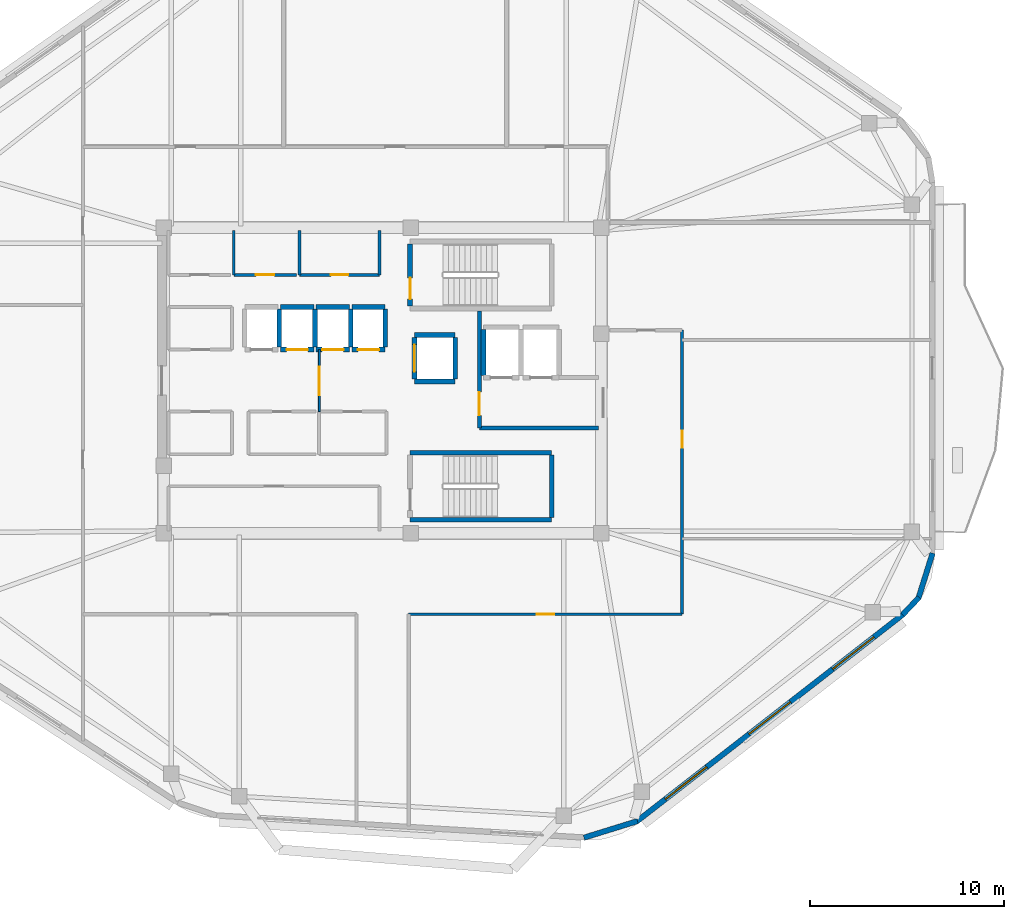
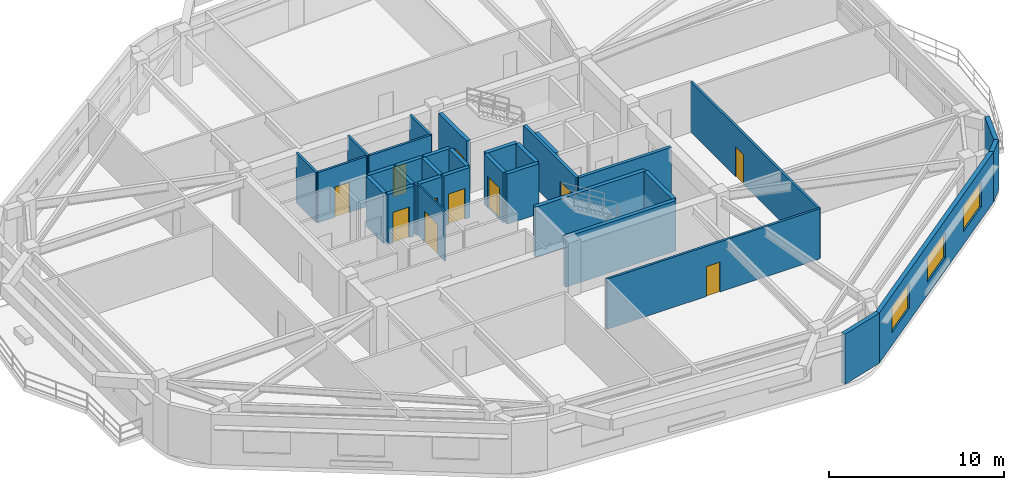
# One storey, part 4 of 9: 33 walls, 11 doors, 3 windows, 14 openings.
"""IFC4 building model written with IfcOpenShell, lengths in metres."""

import ifcopenshell
import ifcopenshell.guid

model = None  # the IFC model being written
_history = None  # IfcOwnerHistory: only IFC2X3 demands one
_inside = {}  # id of a spatial element -> (the spatial element, [elements in it])
_under = {}  # id of a project, library or spatial element -> (it, [spatial elements below it])
_declared = {}  # id of a project -> (the project, [libraries it declares])
_typed = {}  # id of a type object -> (the type object, [elements of that type])
_made_of = {}  # id of a material, layer set ... -> (it, [elements and type objects made of it])


def new_model(schema):
    """Start an empty IFC model of exactly this schema.

    Asked for "IFC4X3", IfcOpenShell would pick the latest addendum, in which some entities
    have other attributes; the version numbers below select the first issue.
    IFC2X3 requires an IfcOwnerHistory on every rooted entity: one is made here for all.
    """
    global model, _history
    if schema == "IFC4X3":
        model = ifcopenshell.file(schema_version=(4, 3, 0, 0))
    else:
        model = ifcopenshell.file(schema=schema)
    _inside.clear()
    _under.clear()
    _declared.clear()
    _typed.clear()
    _made_of.clear()
    _history = None
    if model.schema == "IFC2X3":
        org = make("IfcOrganization", Name="unknown")
        user = make(
            "IfcPersonAndOrganization",
            ThePerson=make("IfcPerson", FamilyName="unknown"),
            TheOrganization=org,
        )
        app = make(
            "IfcApplication",
            ApplicationDeveloper=org,
            Version="unknown",
            ApplicationFullName="unknown",
            ApplicationIdentifier="unknown",
        )
        _history = make(
            "IfcOwnerHistory",
            OwningUser=user,
            OwningApplication=app,
            ChangeAction="ADDED",
            CreationDate=0,
        )
    return model


def make(cls, **values):
    """One entity of the class cls with the attributes given. An attribute that is None is left unset."""
    return model.create_entity(
        cls, **{name: value for name, value in values.items() if value is not None}
    )


def rooted(cls, **values):
    """An entity with a GlobalId (a new one), such as an element, a storey or a relation."""
    return make(cls, GlobalId=ifcopenshell.guid.new(), OwnerHistory=_history, **values)


def si_unit(unit_type, name, prefix=None):
    """IfcSIUnit, for example si_unit("LENGTHUNIT", "METRE", prefix="MILLI")."""
    return make("IfcSIUnit", UnitType=unit_type, Prefix=prefix, Name=name)


def assignment(units):
    """IfcUnitAssignment: the units of a project."""
    return None if units is None else make("IfcUnitAssignment", Units=units)


def point(xyz):
    """IfcCartesianPoint."""
    return None if xyz is None else make("IfcCartesianPoint", Coordinates=xyz)


def direction(xyz):
    """IfcDirection."""
    return None if xyz is None else make("IfcDirection", DirectionRatios=xyz)


def frame(location, z_axis=None, x_axis=None):
    """IfcAxis2Placement3D, a coordinate frame: its origin and axes. An axis left out is left unset."""
    return make(
        "IfcAxis2Placement3D",
        Location=point(location),
        Axis=direction(z_axis),
        RefDirection=direction(x_axis),
    )


def frame_2d(location, x_axis=None):
    """IfcAxis2Placement2D, a coordinate frame in the plane: its origin and x axis."""
    return make(
        "IfcAxis2Placement2D", Location=point(location), RefDirection=direction(x_axis)
    )


def origin():
    """The frame at (0, 0, 0) with its axes left unset."""
    return frame((0.0, 0.0, 0.0))


def place(relative_to, where):
    """IfcLocalPlacement: puts the frame where relative to a parent placement (None: the world)."""
    return make(
        "IfcLocalPlacement", PlacementRelTo=relative_to, RelativePlacement=where
    )


def context(
    kind, dimensions, precision=None, world=None, true_north=None, identifier=None
):
    """IfcGeometricRepresentationContext, for example the 3D "Model" context."""
    return make(
        "IfcGeometricRepresentationContext",
        ContextIdentifier=identifier,
        ContextType=kind,
        CoordinateSpaceDimension=dimensions,
        Precision=precision,
        WorldCoordinateSystem=world,
        TrueNorth=true_north,
    )


def subcontext(parent, identifier, kind, view, scale=None):
    """IfcGeometricRepresentationSubContext, for example "Body" below "Model"."""
    return make(
        "IfcGeometricRepresentationSubContext",
        ContextIdentifier=identifier,
        ContextType=kind,
        ParentContext=parent,
        TargetScale=scale,
        TargetView=view,
    )


def project(units=None, contexts=None):
    """IfcProject with its units and contexts."""
    return rooted(
        "IfcProject",
        Name="project",
        RepresentationContexts=contexts,
        UnitsInContext=assignment(units),
    )


def spatial(cls, under=None, at=None, **own):
    """A site, building, storey or space (cls), placed at a placement, below another one or the project."""
    s = rooted(cls, ObjectPlacement=at, **own)
    if under is not None:
        _under.setdefault(under.id(), (under, []))[1].append(s)
    return s


def profile(cls, at=None, kind="AREA", **sizes):
    """A parametric profile (cls). Its sizes go by their IFC names, for example OverallWidth=200.0."""
    return make(cls, ProfileType=kind, Position=at, **sizes)


def rectangle(**sizes):
    """IfcRectangleProfileDef."""
    return profile("IfcRectangleProfileDef", **sizes)


def extrude(swept, where, along, depth):
    """IfcExtrudedAreaSolid: the profile swept, set in the frame where, extruded along a direction by depth."""
    return make(
        "IfcExtrudedAreaSolid",
        SweptArea=swept,
        Position=where,
        ExtrudedDirection=direction(along),
        Depth=depth,
    )


def shape(context_of_items, identifier, shape_type, items):
    """IfcShapeRepresentation: the items that make up one representation, for example the "Body"."""
    return make(
        "IfcShapeRepresentation",
        ContextOfItems=context_of_items,
        RepresentationIdentifier=identifier,
        RepresentationType=shape_type,
        Items=items,
    )


def material(Name=None, Category=None):
    """IfcMaterial."""
    return make("IfcMaterial", Name=Name, Category=Category)


def layer(
    of_material, thickness, ventilated=None, Name=None, Category=None, Priority=None
):
    """IfcMaterialLayer: one layer of a wall or slab, of a material (None: an air gap)."""
    return make(
        "IfcMaterialLayer",
        Material=of_material,
        LayerThickness=thickness,
        IsVentilated=ventilated,
        Name=Name,
        Category=Category,
        Priority=Priority,
    )


def layer_set(layers, Name=None):
    """IfcMaterialLayerSet."""
    return make("IfcMaterialLayerSet", MaterialLayers=layers, LayerSetName=Name)


def made_of(thing, what):
    """Note that an element or type object is made of a material, layer set ...; save() writes the relation."""
    if what is not None:
        _made_of.setdefault(what.id(), (what, []))[1].append(thing)
    return thing


def type_object(cls, material=None, **own):
    """A type object (cls), such as IfcWallType, which elements share."""
    return made_of(rooted(cls, **own), material)


def element(
    cls,
    number,
    at=None,
    inside=None,
    cuts=None,
    type_object=None,
    material=None,
    context=None,
    identifier="Body",
    shape_type=None,
    held_by="IfcProductDefinitionShape",
    body=None,
    shapes=None,
    **own,
):
    """One element of the class cls, such as IfcWall. Its Tag is "e" and its number.

    at: its placement. inside: the storey or other place that contains it. cuts: it is an
    opening in that element (IfcRelVoidsElement). A single representation is given by context,
    identifier, shape_type and body (its items); several are given by shapes. held_by: the class
    of the entity that holds the representations. save() writes the other relations.
    """
    e = rooted(cls, Tag="e%d" % number, ObjectPlacement=at, **own)
    if body is not None:
        shapes = [shape(context, identifier, shape_type, body)]
    if shapes is not None:
        e.Representation = make(held_by, Representations=shapes)
    if inside is not None:
        _inside.setdefault(inside.id(), (inside, []))[1].append(e)
    if cuts is not None:
        rooted(
            "IfcRelVoidsElement", RelatingBuildingElement=cuts, RelatedOpeningElement=e
        )
    if type_object is not None:
        _typed.setdefault(type_object.id(), (type_object, []))[1].append(e)
    return made_of(e, material)


def fill(opening, filler):
    """IfcRelFillsElement: the door or window that sits in an opening."""
    return rooted(
        "IfcRelFillsElement",
        RelatingOpeningElement=opening,
        RelatedBuildingElement=filler,
    )


def aggregate(whole, parts):
    """IfcRelAggregates: a whole, such as a stair, and the parts it consists of."""
    return rooted("IfcRelAggregates", RelatingObject=whole, RelatedObjects=parts)


def save(model, path):
    """Write the relations noted so far, then the file.

    IfcRelAggregates (storeys below a building ...), IfcRelContainedInSpatialStructure (elements
    in a storey), IfcRelDefinesByType, IfcRelAssociatesMaterial and IfcRelDeclares: one each for
    every whole, place, type object, material and project.
    """
    for whole, parts in _under.values():
        aggregate(whole, parts)
    for where, things in _inside.values():
        rooted(
            "IfcRelContainedInSpatialStructure",
            RelatedElements=things,
            RelatingStructure=where,
        )
    for kind, things in _typed.values():
        rooted("IfcRelDefinesByType", RelatedObjects=things, RelatingType=kind)
    for what, things in _made_of.values():
        rooted("IfcRelAssociatesMaterial", RelatedObjects=things, RelatingMaterial=what)
    for by, libraries in _declared.values():
        rooted("IfcRelDeclares", RelatingContext=by, RelatedDefinitions=libraries)
    model.write(path)


model = new_model("IFC4")

# Units and contexts
model_context = context("Model", 3, precision=1e-05, world=origin(), true_north=direction((0.0, 1.0)))
body_context = subcontext(model_context, "Body", "Model", "MODEL_VIEW")
ifc_project = project(units=[si_unit("LENGTHUNIT", "METRE"), si_unit("AREAUNIT", "SQUARE_METRE"), si_unit("VOLUMEUNIT", "CUBIC_METRE"), si_unit("PLANEANGLEUNIT", "RADIAN"), si_unit("MASSUNIT", "GRAM", prefix="KILO")], contexts=[model_context])

# Site, building, storey
site_placement = place(None, origin())
site = spatial("IfcSite", under=ifc_project, at=site_placement, CompositionType="ELEMENT")
building_placement = place(site_placement, origin())
building = spatial("IfcBuilding", under=site, at=building_placement, Name="Zulverin Broadcast Headquarters", CompositionType="ELEMENT")
storey_placement = place(building_placement, frame((0.0, 0.0, 266.800048828125)))
storey = spatial("IfcBuildingStorey", under=building, at=storey_placement, Name="L68", CompositionType="ELEMENT", Elevation=266.800048828125)

# Wall, openings, windows
ifc_material_1 = material(Name="Insulated pale-metal clad concrete spandrel C40/50", Category="concrete")
ifc_layer_1 = layer(ifc_material_1, 0.280029296875, Name="Insulated pale-metal clad concrete spandrel C40/50", Category="concrete")
ifc_layer_set_1 = layer_set([ifc_layer_1], Name="Insulated pale-metal clad concrete spandrel C40/50")
wall_type_1 = type_object("IfcWallType", Name="WL-EXT-280", PredefinedType="STANDARD", material=ifc_layer_set_1)
wall_1_placement = place(storey_placement, frame((50.10400390625, 2.458984375, 0.0), z_axis=(0.0, 0.0, 1.0), x_axis=(0.789464857485, 0.613795763097, 0.0)))
wall_1 = element("IfcWall", 1, at=wall_1_placement, inside=storey, type_object=wall_type_1, Name="L68 Pale-Metal Clad Spandrel Wall 2", PredefinedType="STANDARD", context=body_context, shape_type="SweptSolid", body=[
    extrude(rectangle(XDim=17.387451171875, YDim=0.280029296875, at=frame_2d((8.69384765625, 0.0))), origin(), (0.0, 0.0, 1.0), 3.510009765625),
])
opening_1_placement = place(wall_1_placement, frame((1.881103515625, 0.0, 0.89990234375)))
opening_1 = element("IfcOpeningElement", 2, at=opening_1_placement, cuts=wall_1, Name="Opening W-L68-E21", PredefinedType="OPENING", context=body_context, shape_type="SweptSolid", body=[
    extrude(rectangle(XDim=2.699951171875, YDim=1.75, at=frame_2d((1.35009765625, 0.875))), frame((0.0, 0.14990234375, 0.0), z_axis=(0.0, -1.0, 0.0), x_axis=(1.0, 0.0, 0.0)), (0.0, 0.0, 1.0), 0.300048828125),
])
opening_2_placement = place(wall_1_placement, frame((7.34375, 0.0, 0.89990234375)))
opening_2 = element("IfcOpeningElement", 3, at=opening_2_placement, cuts=wall_1, Name="Opening W-L68-E22", PredefinedType="OPENING", context=body_context, shape_type="SweptSolid", body=[
    extrude(rectangle(XDim=2.699951171875, YDim=1.75, at=frame_2d((1.35009765625, 0.875))), frame((0.0, 0.14990234375, 0.0), z_axis=(0.0, -1.0, 0.0), x_axis=(1.0, 0.0, 0.0)), (0.0, 0.0, 1.0), 0.300048828125),
])
opening_3_placement = place(wall_1_placement, frame((12.80615234375, 0.0, 0.89990234375)))
opening_3 = element("IfcOpeningElement", 4, at=opening_3_placement, cuts=wall_1, Name="Opening W-L68-E23", PredefinedType="OPENING", context=body_context, shape_type="SweptSolid", body=[
    extrude(rectangle(XDim=2.699951171875, YDim=1.75, at=frame_2d((1.35009765625, 0.875))), frame((0.0, 0.14990234375, 0.0), z_axis=(0.0, -1.0, 0.0), x_axis=(1.0, 0.0, 0.0)), (0.0, 0.0, 1.0), 0.300048828125),
])
ifc_material_2 = material(Name="Pale anodized aluminium frame with solar-control low-E double glazing", Category="aluminium")
window_type = type_object("IfcWindowType", Name="WIN-TWR-2700", PartitioningType="SINGLE_PANEL", PredefinedType="WINDOW", material=ifc_material_2)
window_1_placement = place(opening_1_placement, origin())
window_1 = element("IfcWindow", 5, at=window_1_placement, inside=storey, type_object=window_type, Name="L68 Ribbon Glazing Window 2 1", OverallHeight=1.75, OverallWidth=2.699951171875, PartitioningType="SINGLE_PANEL", PredefinedType="WINDOW", context=body_context, shape_type="SweptSolid", body=[
    extrude(rectangle(XDim=2.699951171875, YDim=1.75, at=frame_2d((1.35009765625, 0.875))), frame((0.0, 0.030029296875, 0.0), z_axis=(0.0, -1.0, 0.0), x_axis=(1.0, 0.0, 0.0)), (0.0, 0.0, 1.0), 0.06005859375),
])
fill(opening_1, window_1)
window_2_placement = place(opening_2_placement, origin())
window_2 = element("IfcWindow", 6, at=window_2_placement, inside=storey, type_object=window_type, Name="L68 Ribbon Glazing Window 2 2", OverallHeight=1.75, OverallWidth=2.699951171875, PartitioningType="SINGLE_PANEL", PredefinedType="WINDOW", context=body_context, shape_type="SweptSolid", body=[
    extrude(rectangle(XDim=2.699951171875, YDim=1.75, at=frame_2d((1.35009765625, 0.875))), frame((0.0, 0.030029296875, 0.0), z_axis=(0.0, -1.0, 0.0), x_axis=(1.0, 0.0, 0.0)), (0.0, 0.0, 1.0), 0.06005859375),
])
fill(opening_2, window_2)
window_3_placement = place(opening_3_placement, origin())
window_3 = element("IfcWindow", 7, at=window_3_placement, inside=storey, type_object=window_type, Name="L68 Ribbon Glazing Window 2 3", OverallHeight=1.75, OverallWidth=2.699951171875, PartitioningType="SINGLE_PANEL", PredefinedType="WINDOW", context=body_context, shape_type="SweptSolid", body=[
    extrude(rectangle(XDim=2.699951171875, YDim=1.75, at=frame_2d((1.35009765625, 0.875))), frame((0.0, 0.030029296875, 0.0), z_axis=(0.0, -1.0, 0.0), x_axis=(1.0, 0.0, 0.0)), (0.0, 0.0, 1.0), 0.06005859375),
])
fill(opening_3, window_3)

# Walls
wall_2_placement = place(storey_placement, frame((47.38623046875, 1.626220703125, 0.0), z_axis=(0.0, 0.0, 1.0), x_axis=(0.955189316149, 0.29599555793, 0.0)))
element("IfcWall", 8, at=wall_2_placement, inside=storey, type_object=wall_type_1, Name="L68 Wind-Shaped Corner Spandrel Wall 1-1", PredefinedType="STANDARD", context=body_context, shape_type="SweptSolid", body=[
    extrude(rectangle(XDim=2.891845703125, YDim=0.280029296875, at=frame_2d((1.44580078125, 0.0))), origin(), (0.0, 0.0, 1.0), 3.510009765625),
])
wall_3_placement = place(storey_placement, frame((63.81494140625, 13.1171875, 0.0), z_axis=(0.0, 0.0, 1.0), x_axis=(0.687733716128, 0.725963040176, 0.0)))
element("IfcWall", 9, at=wall_3_placement, inside=storey, type_object=wall_type_1, Name="L68 Wind-Shaped Corner Spandrel Wall 2-1", PredefinedType="STANDARD", context=body_context, shape_type="SweptSolid", body=[
    extrude(rectangle(XDim=1.239013671875, YDim=0.280029296875, at=frame_2d((0.61962890625, 0.0))), origin(), (0.0, 0.0, 1.0), 3.510009765625),
])
wall_4_placement = place(storey_placement, frame((64.635009765625, 13.962158203125, 0.0), z_axis=(0.0, 0.0, 1.0), x_axis=(0.298649578722, 0.954362839348, 0.0)))
element("IfcWall", 10, at=wall_4_placement, inside=storey, type_object=wall_type_1, Name="L68 Wind-Shaped Corner Spandrel Wall 2-2", PredefinedType="STANDARD", context=body_context, shape_type="SweptSolid", body=[
    extrude(rectangle(XDim=2.44921875, YDim=0.280029296875, at=frame_2d((1.224609375, 0.0))), origin(), (0.0, 0.0, 1.0), 3.510009765625),
])

# Wall, opening, door
ifc_material_3 = material(Name="Concrete C40/50", Category="concrete")
ifc_layer_2 = layer(ifc_material_3, 0.199951171875, Name="Concrete C40/50", Category="concrete")
ifc_layer_set_2 = layer_set([ifc_layer_2], Name="Concrete C40/50")
wall_type_2 = type_object("IfcWallType", Name="WL-FFL-200", PredefinedType="SOLIDWALL", material=ifc_layer_set_2)
wall_5_placement = place(storey_placement, frame((42.0, 22.75, 0.0), z_axis=(0.0, 0.0, 1.0), x_axis=(0.0, 1.0, 0.0)))
wall_5 = element("IfcWall", 11, at=wall_5_placement, inside=storey, type_object=wall_type_2, Name="L68 Firefighting Lift Lobby West Wall", PredefinedType="SOLIDWALL", context=body_context, shape_type="SweptSolid", body=[
    extrude(rectangle(XDim=6.050048828125, YDim=0.199951171875, at=frame_2d((3.02490234375, 0.0))), origin(), (0.0, 0.0, 1.0), 3.510009765625),
])
opening_4_placement = place(wall_5_placement, frame((0.64990234375, 0.0, 0.0)))
opening_4 = element("IfcOpeningElement", 12, at=opening_4_placement, cuts=wall_5, Name="Opening D-L68-FFLW", PredefinedType="OPENING", context=body_context, shape_type="SweptSolid", body=[
    extrude(rectangle(XDim=1.199951171875, YDim=2.14990234375, at=frame_2d((0.60009765625, 1.074951171875))), frame((0.0, 0.10986328125, 0.0), z_axis=(0.0, -1.0, 0.0), x_axis=(1.0, 0.0, 0.0)), (0.0, 0.0, 1.0), 0.219970703125),
])
ifc_material_4 = material(Name="Fire-rated steel leaf and frame", Category="steel")
door_type_1 = type_object("IfcDoorType", Name="DR-FFL-1200", OperationType="SINGLE_SWING_RIGHT", PredefinedType="DOOR", material=ifc_material_4)
door_1_placement = place(opening_4_placement, origin())
door_1 = element("IfcDoor", 13, at=door_1_placement, inside=storey, type_object=door_type_1, Name="L68 Firefighting Lift Lobby Door", OperationType="SINGLE_SWING_RIGHT", OverallHeight=2.14990234375, OverallWidth=1.199951171875, PredefinedType="DOOR", context=body_context, shape_type="SweptSolid", body=[
    extrude(rectangle(XDim=1.199951171875, YDim=2.14990234375, at=frame_2d((0.60009765625, 1.074951171875))), frame((0.0, 0.02490234375, 0.0), z_axis=(0.0, -1.0, 0.0), x_axis=(1.0, 0.0, 0.0)), (0.0, 0.0, 1.0), 0.050048828125),
])
fill(opening_4, door_1)

# Wall
wall_6_placement = place(storey_placement, frame((42.0, 22.75, 0.0), z_axis=(0.0, 0.0, 1.0), x_axis=(1.0, 0.0, 0.0)))
element("IfcWall", 14, at=wall_6_placement, inside=storey, type_object=wall_type_2, Name="L68 Firefighting Lift Lobby South Wall", PredefinedType="SOLIDWALL", context=body_context, shape_type="SweptSolid", body=[
    extrude(rectangle(XDim=6.14990234375, YDim=0.199951171875, at=frame_2d((3.074951171875, 0.0))), origin(), (0.0, 0.0, 1.0), 3.510009765625),
])

# Wall, opening, door
ifc_material_5 = material(Name="Fire-rated acoustic laminated glass screen", Category="glass")
ifc_layer_3 = layer(ifc_material_5, 0.10009765625, Name="Fire-rated acoustic laminated glass screen", Category="glass")
ifc_layer_set_3 = layer_set([ifc_layer_3], Name="Fire-rated acoustic laminated glass screen")
wall_type_3 = type_object("IfcWallType", Name="WL-GLAZ-100", PredefinedType="PARTITIONING", material=ifc_layer_set_3)
wall_7_placement = place(storey_placement, frame((33.75, 23.60009765625, 0.0), z_axis=(0.0, 0.0, 1.0), x_axis=(0.0, 1.0, 0.0)))
wall_7 = element("IfcWall", 15, at=wall_7_placement, inside=storey, type_object=wall_type_3, Name="L68 Core Lobby Acoustic Screen", PredefinedType="PARTITIONING", context=body_context, shape_type="SweptSolid", body=[
    extrude(rectangle(XDim=3.199951171875, YDim=0.10009765625, at=frame_2d((1.60009765625, 0.0))), origin(), (0.0, 0.0, 1.0), 3.510009765625),
])
opening_5_placement = place(wall_7_placement, frame((0.85009765625, 0.0, 0.0)))
opening_5 = element("IfcOpeningElement", 16, at=opening_5_placement, cuts=wall_7, Name="Opening D-L68-CL1", PredefinedType="OPENING", context=body_context, shape_type="SweptSolid", body=[
    extrude(rectangle(XDim=1.449951171875, YDim=2.1201171875, at=frame_2d((0.72509765625, 1.06005859375))), frame((0.0, 0.06005859375, 0.0), z_axis=(0.0, -1.0, 0.0), x_axis=(1.0, 0.0, 0.0)), (0.0, 0.0, 1.0), 0.1201171875),
])
ifc_material_6 = material(Name="Fire-rated acoustic glazed double leaf", Category="glass")
door_type_2 = type_object("IfcDoorType", Name="DR-GLZ-1450", OperationType="DOUBLE_DOOR_SINGLE_SWING", PredefinedType="DOOR", material=ifc_material_6)
door_2_placement = place(opening_5_placement, origin())
door_2 = element("IfcDoor", 17, at=door_2_placement, inside=storey, type_object=door_type_2, Name="L68 Core Lobby Vestibule Door", OperationType="DOUBLE_DOOR_SINGLE_SWING", OverallHeight=2.1201171875, OverallWidth=1.449951171875, PredefinedType="DOOR", context=body_context, shape_type="SweptSolid", body=[
    extrude(rectangle(XDim=1.449951171875, YDim=2.1201171875, at=frame_2d((0.72509765625, 1.06005859375))), frame((0.0, 0.02490234375, 0.0), z_axis=(0.0, -1.0, 0.0), x_axis=(1.0, 0.0, 0.0)), (0.0, 0.0, 1.0), 0.050048828125),
])
fill(opening_5, door_2)

ifc_material_7 = material(Name="Fire-rated gypsum stud partition", Category="gypsum")
ifc_layer_4 = layer(ifc_material_7, 0.14990234375, Name="Fire-rated gypsum stud partition", Category="gypsum")
ifc_layer_set_4 = layer_set([ifc_layer_4], Name="Fire-rated gypsum stud partition")
wall_type_4 = type_object("IfcWallType", Name="WL-PART-150", PredefinedType="PARTITIONING", material=ifc_layer_set_4)
wall_8_placement = place(storey_placement, frame((29.330078125, 30.64990234375, 0.0), z_axis=(0.0, 0.0, 1.0), x_axis=(1.0, 0.0, 0.0)))
wall_8 = element("IfcWall", 18, at=wall_8_placement, inside=storey, type_object=wall_type_4, Name="L68 Core Male WC Front Wall", PredefinedType="PARTITIONING", context=body_context, shape_type="SweptSolid", body=[
    extrude(rectangle(XDim=3.239990234375, YDim=0.14990234375, at=frame_2d((1.6201171875, 0.0))), origin(), (0.0, 0.0, 1.0), 3.510009765625),
])
opening_6_placement = place(wall_8_placement, frame((1.14501953125, 0.0, 0.0)))
opening_6 = element("IfcOpeningElement", 19, at=opening_6_placement, cuts=wall_8, Name="Opening D-L68-NC2", PredefinedType="OPENING", context=body_context, shape_type="SweptSolid", body=[
    extrude(rectangle(XDim=0.949951171875, YDim=2.10009765625, at=frame_2d((0.47509765625, 1.050048828125))), frame((0.0, 0.0849609375, 0.0), z_axis=(0.0, -1.0, 0.0), x_axis=(1.0, 0.0, 0.0)), (0.0, 0.0, 1.0), 0.169921875),
])
ifc_material_8 = material(Name="Fire-rated moisture-resistant laminate leaf", Category="wood")
door_type_3 = type_object("IfcDoorType", Name="DR-WC-950", OperationType="SINGLE_SWING_LEFT", PredefinedType="DOOR", material=ifc_material_8)
door_3_placement = place(opening_6_placement, origin())
door_3 = element("IfcDoor", 20, at=door_3_placement, inside=storey, type_object=door_type_3, Name="L68 Male WC Door", OperationType="SINGLE_SWING_RIGHT", OverallHeight=2.10009765625, OverallWidth=0.949951171875, PredefinedType="DOOR", context=body_context, shape_type="SweptSolid", body=[
    extrude(rectangle(XDim=0.949951171875, YDim=2.10009765625, at=frame_2d((0.47509765625, 1.050048828125))), frame((0.0, 0.02490234375, 0.0), z_axis=(0.0, -1.0, 0.0), x_axis=(1.0, 0.0, 0.0)), (0.0, 0.0, 1.0), 0.050048828125),
])
fill(opening_6, door_3)

# Wall
wall_9_placement = place(storey_placement, frame((29.330078125, 30.64990234375, 0.0), z_axis=(0.0, 0.0, 1.0), x_axis=(0.0, 1.0, 0.0)))
element("IfcWall", 21, at=wall_9_placement, inside=storey, type_object=wall_type_4, Name="L68 Core Male WC West Wall", PredefinedType="PARTITIONING", context=body_context, shape_type="SweptSolid", body=[
    extrude(rectangle(XDim=2.300048828125, YDim=0.14990234375, at=frame_2d((1.14990234375, 0.0))), origin(), (0.0, 0.0, 1.0), 3.510009765625),
])

# Wall, opening, door
wall_10_placement = place(storey_placement, frame((32.72998046875, 30.64990234375, 0.0), z_axis=(0.0, 0.0, 1.0), x_axis=(1.0, 0.0, 0.0)))
wall_10 = element("IfcWall", 22, at=wall_10_placement, inside=storey, type_object=wall_type_4, Name="L68 Core Electrical Switch Riser Front Wall", PredefinedType="PARTITIONING", context=body_context, shape_type="SweptSolid", body=[
    extrude(rectangle(XDim=4.1201171875, YDim=0.14990234375, at=frame_2d((2.06005859375, 0.0))), origin(), (0.0, 0.0, 1.0), 3.510009765625),
])
opening_7_placement = place(wall_10_placement, frame((1.610107421875, 0.0, 0.0)))
opening_7 = element("IfcOpeningElement", 23, at=opening_7_placement, cuts=wall_10, Name="Opening D-L68-NC3", PredefinedType="OPENING", context=body_context, shape_type="SweptSolid", body=[
    extrude(rectangle(XDim=0.89990234375, YDim=2.10009765625, at=frame_2d((0.449951171875, 1.050048828125))), frame((0.0, 0.0849609375, 0.0), z_axis=(0.0, -1.0, 0.0), x_axis=(1.0, 0.0, 0.0)), (0.0, 0.0, 1.0), 0.169921875),
])
ifc_material_9 = material(Name="Powder-coated steel access leaf", Category="steel")
door_type_4 = type_object("IfcDoorType", Name="DR-RISER-900", OperationType="SINGLE_SWING_LEFT", PredefinedType="DOOR", material=ifc_material_9)
door_4_placement = place(opening_7_placement, origin())
door_4 = element("IfcDoor", 24, at=door_4_placement, inside=storey, type_object=door_type_4, Name="L68 Electrical Switch Riser Door", OperationType="SINGLE_SWING_LEFT", OverallHeight=2.10009765625, OverallWidth=0.89990234375, PredefinedType="DOOR", context=body_context, shape_type="SweptSolid", body=[
    extrude(rectangle(XDim=0.89990234375, YDim=2.10009765625, at=frame_2d((0.449951171875, 1.050048828125))), frame((0.0, 0.02490234375, 0.0), z_axis=(0.0, -1.0, 0.0), x_axis=(1.0, 0.0, 0.0)), (0.0, 0.0, 1.0), 0.050048828125),
])
fill(opening_7, door_4)

# Walls
for number, where, z_axis, x_axis, name in (
    (25, (32.72998046875, 30.64990234375, 0.0), (0.0, 0.0, 1.0), (0.0, 1.0, 0.0), "L68 Core Electrical Switch Riser West Wall"),
    (26, (36.85009765625, 30.64990234375, 0.0), (0.0, 0.0, 1.0), (0.0, 1.0, 0.0), "L68 Core Electrical Switch Riser East Wall"),
):
    element("IfcWall", number, at=place(storey_placement, frame(where, z_axis=z_axis, x_axis=x_axis)), inside=storey, type_object=wall_type_4, Name=name, PredefinedType="PARTITIONING", context=body_context, shape_type="SweptSolid", body=[
        extrude(rectangle(XDim=2.300048828125, YDim=0.14990234375, at=frame_2d((1.14990234375, 0.0))), origin(), (0.0, 0.0, 1.0), 3.510009765625),
    ])

# Wall, opening, door
wall_11_placement = place(storey_placement, frame((52.449951171875, 13.14990234375, 0.0), z_axis=(0.0, 0.0, 1.0), x_axis=(0.0, 1.0, 0.0)))
wall_11 = element("IfcWall", 27, at=wall_11_placement, inside=storey, type_object=wall_type_4, Name="L68 Gallery Partition Wall CG-01", PredefinedType="PARTITIONING", context=body_context, shape_type="SweptSolid", body=[
    extrude(rectangle(XDim=14.650146484375, YDim=0.14990234375, at=frame_2d((7.3251953125, 0.0))), origin(), (0.0, 0.0, 1.0), 3.510009765625),
])
opening_8_placement = place(wall_11_placement, frame((8.574951171875, 0.0, 0.0)))
opening_8 = element("IfcOpeningElement", 28, at=opening_8_placement, cuts=wall_11, Name="Opening D-L68-08", PredefinedType="OPENING", context=body_context, shape_type="SweptSolid", body=[
    extrude(rectangle(XDim=0.89990234375, YDim=2.10009765625, at=frame_2d((0.449951171875, 1.050048828125))), frame((0.0, 0.0849609375, 0.0), z_axis=(0.0, -1.0, 0.0), x_axis=(1.0, 0.0, 0.0)), (0.0, 0.0, 1.0), 0.169921875),
])
ifc_material_10 = material(Name="Fire-rated hardwood veneer timber leaf", Category="wood")
door_type_5 = type_object("IfcDoorType", Name="DR-ROOM-900", OperationType="SINGLE_SWING_RIGHT", PredefinedType="DOOR", material=ifc_material_10)
door_5_placement = place(opening_8_placement, origin())
door_5 = element("IfcDoor", 29, at=door_5_placement, inside=storey, type_object=door_type_5, Name="L68 Tea Pantry Door", OperationType="SINGLE_SWING_LEFT", OverallHeight=2.10009765625, OverallWidth=0.89990234375, PredefinedType="DOOR", context=body_context, shape_type="SweptSolid", body=[
    extrude(rectangle(XDim=0.89990234375, YDim=2.10009765625, at=frame_2d((0.449951171875, 1.050048828125))), frame((0.0, 0.02490234375, 0.0), z_axis=(0.0, -1.0, 0.0), x_axis=(1.0, 0.0, 0.0)), (0.0, 0.0, 1.0), 0.050048828125),
])
fill(opening_8, door_5)

wall_12_placement = place(storey_placement, frame((38.35009765625, 13.14990234375, 0.0), z_axis=(0.0, 0.0, 1.0), x_axis=(1.0, 0.0, 0.0)))
wall_12 = element("IfcWall", 30, at=wall_12_placement, inside=storey, type_object=wall_type_4, Name="L68 Gallery Partition Wall CG-09", PredefinedType="PARTITIONING", context=body_context, shape_type="SweptSolid", body=[
    extrude(rectangle(XDim=14.099853515625, YDim=0.14990234375, at=frame_2d((7.0498046875, 0.0))), origin(), (0.0, 0.0, 1.0), 3.510009765625),
])
opening_9_placement = place(wall_12_placement, frame((6.60009765625, 0.0, 0.0)))
opening_9 = element("IfcOpeningElement", 31, at=opening_9_placement, cuts=wall_12, Name="Opening D-L68-05", PredefinedType="OPENING", context=body_context, shape_type="SweptSolid", body=[
    extrude(rectangle(XDim=0.89990234375, YDim=2.10009765625, at=frame_2d((0.449951171875, 1.050048828125))), frame((0.0, 0.0849609375, 0.0), z_axis=(0.0, -1.0, 0.0), x_axis=(1.0, 0.0, 0.0)), (0.0, 0.0, 1.0), 0.169921875),
])
door_6_placement = place(opening_9_placement, origin())
door_6 = element("IfcDoor", 32, at=door_6_placement, inside=storey, type_object=door_type_5, Name="L68 Interview Room Door", OperationType="SINGLE_SWING_RIGHT", OverallHeight=2.10009765625, OverallWidth=0.89990234375, PredefinedType="DOOR", context=body_context, shape_type="SweptSolid", body=[
    extrude(rectangle(XDim=0.89990234375, YDim=2.10009765625, at=frame_2d((0.449951171875, 1.050048828125))), frame((0.0, 0.02490234375, 0.0), z_axis=(0.0, -1.0, 0.0), x_axis=(1.0, 0.0, 0.0)), (0.0, 0.0, 1.0), 0.050048828125),
])
fill(opening_9, door_6)

ifc_material_11 = material(Name="Concrete C50/60", Category="concrete")
ifc_layer_5 = layer(ifc_material_11, 0.25, Name="Concrete C50/60", Category="concrete")
ifc_layer_set_5 = layer_set([ifc_layer_5], Name="Concrete C50/60")
wall_type_5 = type_object("IfcWallType", Name="WL-SHAFT-250", PredefinedType="SHEAR", material=ifc_layer_set_5)
wall_13_placement = place(storey_placement, frame((38.425048828125, 29.050048828125, 0.0), z_axis=(0.0, 0.0, 1.0), x_axis=(0.0, 1.0, 0.0)))
wall_13 = element("IfcWall", 33, at=wall_13_placement, inside=storey, type_object=wall_type_5, Name="L68 ST-1 Enclosure Wall W", PredefinedType="SHEAR", context=body_context, shape_type="SweptSolid", body=[
    extrude(rectangle(XDim=3.199951171875, YDim=0.25, at=frame_2d((1.60009765625, 0.0))), origin(), (0.0, 0.0, 1.0), 3.510009765625),
])
opening_10_placement = place(wall_13_placement, frame((0.35009765625, 0.0, 0.0)))
opening_10 = element("IfcOpeningElement", 34, at=opening_10_placement, cuts=wall_13, Name="Opening D-L68-ST-1", PredefinedType="OPENING", context=body_context, shape_type="SweptSolid", body=[
    extrude(rectangle(XDim=1.10009765625, YDim=2.14990234375, at=frame_2d((0.550048828125, 1.074951171875))), frame((0.0, 0.135009765625, 0.0), z_axis=(0.0, -1.0, 0.0), x_axis=(1.0, 0.0, 0.0)), (0.0, 0.0, 1.0), 0.27001953125),
])
door_type_6 = type_object("IfcDoorType", Name="DR-STAIR-1100", OperationType="SINGLE_SWING_LEFT", PredefinedType="DOOR", material=ifc_material_4)
door_7_placement = place(opening_10_placement, origin())
door_7 = element("IfcDoor", 35, at=door_7_placement, inside=storey, type_object=door_type_6, Name="L68 Exit Stair ST-1 Fire Door", OperationType="SINGLE_SWING_LEFT", OverallHeight=2.14990234375, OverallWidth=1.10009765625, PredefinedType="DOOR", context=body_context, shape_type="SweptSolid", body=[
    extrude(rectangle(XDim=1.10009765625, YDim=2.14990234375, at=frame_2d((0.550048828125, 1.074951171875))), frame((0.0, 0.02490234375, 0.0), z_axis=(0.0, -1.0, 0.0), x_axis=(1.0, 0.0, 0.0)), (0.0, 0.0, 1.0), 0.050048828125),
])
fill(opening_10, door_7)

# Walls
for number, where, z_axis, x_axis, name in (
    (36, (38.425048828125, 18.02490234375, 0.0), (0.0, 0.0, 1.0), (1.0, 0.0, 0.0), "L68 ST-2 Enclosure Wall S"),
    (37, (38.425048828125, 21.47509765625, 0.0), (0.0, 0.0, 1.0), (1.0, 0.0, 0.0), "L68 ST-2 Enclosure Wall N"),
):
    element("IfcWall", number, at=place(storey_placement, frame(where, z_axis=z_axis, x_axis=x_axis)), inside=storey, type_object=wall_type_5, Name=name, PredefinedType="SHEAR", context=body_context, shape_type="SweptSolid", body=[
        extrude(rectangle(XDim=7.300048828125, YDim=0.25, at=frame_2d((3.64990234375, 0.0))), origin(), (0.0, 0.0, 1.0), 3.510009765625),
    ])
wall_14_placement = place(storey_placement, frame((45.72509765625, 18.14990234375, 0.0), z_axis=(0.0, 0.0, 1.0), x_axis=(0.0, 1.0, 0.0)))
element("IfcWall", 38, at=wall_14_placement, inside=storey, type_object=wall_type_5, Name="L68 ST-2 Enclosure Wall E", PredefinedType="SHEAR", context=body_context, shape_type="SweptSolid", body=[
    extrude(rectangle(XDim=3.2001953125, YDim=0.25, at=frame_2d((1.60009765625, 0.0))), origin(), (0.0, 0.0, 1.0), 3.510009765625),
])
wall_15_placement = place(storey_placement, frame((31.679931640625, 26.919921875, 0.0), z_axis=(0.0, 0.0, 1.0), x_axis=(0.0, 1.0, 0.0)))
element("IfcWall", 39, at=wall_15_placement, inside=storey, type_object=wall_type_5, Name="L68 Lift PL-H1 Shaft Wall E", PredefinedType="SHEAR", context=body_context, shape_type="SweptSolid", body=[
    extrude(rectangle(XDim=1.9599609375, YDim=0.25, at=frame_2d((0.97998046875, 0.0))), origin(), (0.0, 0.0, 1.0), 3.510009765625),
])

# Wall, opening, door
wall_16_placement = place(storey_placement, frame((31.739990234375, 26.800048828125, 0.0), z_axis=(0.0, 0.0, 1.0), x_axis=(1.0, 0.0, 0.0)))
wall_16 = element("IfcWall", 40, at=wall_16_placement, inside=storey, type_object=wall_type_5, Name="L68 Lift PL-H2 Shaft Wall S", PredefinedType="SHEAR", context=body_context, shape_type="SweptSolid", body=[
    extrude(rectangle(XDim=1.719970703125, YDim=0.25, at=frame_2d((0.85986328125, 0.0))), origin(), (0.0, 0.0, 1.0), 3.510009765625),
])
opening_11_placement = place(wall_16_placement, frame((0.31005859375, 0.0, 0.0)))
opening_11 = element("IfcOpeningElement", 41, at=opening_11_placement, cuts=wall_16, Name="Opening LD-PL-H2-L68", PredefinedType="OPENING", context=body_context, shape_type="SweptSolid", body=[
    extrude(rectangle(XDim=1.10009765625, YDim=2.14990234375, at=frame_2d((0.550048828125, 1.074951171875))), frame((0.0, 0.135009765625, 0.0), z_axis=(0.0, -1.0, 0.0), x_axis=(1.0, 0.0, 0.0)), (0.0, 0.0, 1.0), 0.27001953125),
])
ifc_material_12 = material(Name="Brushed stainless steel landing", Category="steel")
door_type_7 = type_object("IfcDoorType", Name="LD-PASS-1100", OperationType="DOUBLE_DOOR_SLIDING", PredefinedType="DOOR", material=ifc_material_12)
door_8_placement = place(opening_11_placement, origin())
door_8 = element("IfcDoor", 42, at=door_8_placement, inside=storey, type_object=door_type_7, Name="L68 Lift PL-H2 Sliding Landing Door", OperationType="DOUBLE_DOOR_SLIDING", OverallHeight=2.14990234375, OverallWidth=1.10009765625, PredefinedType="DOOR", context=body_context, shape_type="SweptSolid", body=[
    extrude(rectangle(XDim=1.10009765625, YDim=2.14990234375, at=frame_2d((0.550048828125, 1.074951171875))), frame((0.0, 0.02490234375, 0.0), z_axis=(0.0, -1.0, 0.0), x_axis=(1.0, 0.0, 0.0)), (0.0, 0.0, 1.0), 0.050048828125),
])
fill(opening_11, door_8)

# Walls
wall_17_placement = place(storey_placement, frame((31.739990234375, 29.0, 0.0), z_axis=(0.0, 0.0, 1.0), x_axis=(1.0, 0.0, 0.0)))
element("IfcWall", 43, at=wall_17_placement, inside=storey, type_object=wall_type_5, Name="L68 Lift PL-H2 Shaft Wall N", PredefinedType="SHEAR", context=body_context, shape_type="SweptSolid", body=[
    extrude(rectangle(XDim=1.719970703125, YDim=0.25, at=frame_2d((0.85986328125, 0.0))), origin(), (0.0, 0.0, 1.0), 3.510009765625),
])
wall_18_placement = place(storey_placement, frame((33.52001953125, 26.919921875, 0.0), z_axis=(0.0, 0.0, 1.0), x_axis=(0.0, 1.0, 0.0)))
element("IfcWall", 44, at=wall_18_placement, inside=storey, type_object=wall_type_5, Name="L68 Lift PL-H2 Shaft Wall E", PredefinedType="SHEAR", context=body_context, shape_type="SweptSolid", body=[
    extrude(rectangle(XDim=1.9599609375, YDim=0.25, at=frame_2d((0.97998046875, 0.0))), origin(), (0.0, 0.0, 1.0), 3.510009765625),
])

# Wall, opening, door
wall_19_placement = place(storey_placement, frame((33.580078125, 26.800048828125, 0.0), z_axis=(0.0, 0.0, 1.0), x_axis=(1.0, 0.0, 0.0)))
wall_19 = element("IfcWall", 45, at=wall_19_placement, inside=storey, type_object=wall_type_5, Name="L68 Lift PL-H3 Shaft Wall S", PredefinedType="SHEAR", context=body_context, shape_type="SweptSolid", body=[
    extrude(rectangle(XDim=1.719970703125, YDim=0.25, at=frame_2d((0.85986328125, 0.0))), origin(), (0.0, 0.0, 1.0), 3.510009765625),
])
opening_12_placement = place(wall_19_placement, frame((0.31005859375, 0.0, 0.0)))
opening_12 = element("IfcOpeningElement", 46, at=opening_12_placement, cuts=wall_19, Name="Opening LD-PL-H3-L68", PredefinedType="OPENING", context=body_context, shape_type="SweptSolid", body=[
    extrude(rectangle(XDim=1.10009765625, YDim=2.14990234375, at=frame_2d((0.550048828125, 1.074951171875))), frame((0.0, 0.135009765625, 0.0), z_axis=(0.0, -1.0, 0.0), x_axis=(1.0, 0.0, 0.0)), (0.0, 0.0, 1.0), 0.27001953125),
])
door_9_placement = place(opening_12_placement, origin())
door_9 = element("IfcDoor", 47, at=door_9_placement, inside=storey, type_object=door_type_7, Name="L68 Lift PL-H3 Sliding Landing Door", OperationType="DOUBLE_DOOR_SLIDING", OverallHeight=2.14990234375, OverallWidth=1.10009765625, PredefinedType="DOOR", context=body_context, shape_type="SweptSolid", body=[
    extrude(rectangle(XDim=1.10009765625, YDim=2.14990234375, at=frame_2d((0.550048828125, 1.074951171875))), frame((0.0, 0.02490234375, 0.0), z_axis=(0.0, -1.0, 0.0), x_axis=(1.0, 0.0, 0.0)), (0.0, 0.0, 1.0), 0.050048828125),
])
fill(opening_12, door_9)

# Walls
wall_20_placement = place(storey_placement, frame((33.580078125, 29.0, 0.0), z_axis=(0.0, 0.0, 1.0), x_axis=(1.0, 0.0, 0.0)))
element("IfcWall", 48, at=wall_20_placement, inside=storey, type_object=wall_type_5, Name="L68 Lift PL-H3 Shaft Wall N", PredefinedType="SHEAR", context=body_context, shape_type="SweptSolid", body=[
    extrude(rectangle(XDim=1.719970703125, YDim=0.25, at=frame_2d((0.85986328125, 0.0))), origin(), (0.0, 0.0, 1.0), 3.510009765625),
])
wall_21_placement = place(storey_placement, frame((35.360107421875, 26.919921875, 0.0), z_axis=(0.0, 0.0, 1.0), x_axis=(0.0, 1.0, 0.0)))
element("IfcWall", 49, at=wall_21_placement, inside=storey, type_object=wall_type_5, Name="L68 Lift PL-H3 Shaft Wall E", PredefinedType="SHEAR", context=body_context, shape_type="SweptSolid", body=[
    extrude(rectangle(XDim=1.9599609375, YDim=0.25, at=frame_2d((0.97998046875, 0.0))), origin(), (0.0, 0.0, 1.0), 3.510009765625),
])

# Wall, opening, door
wall_22_placement = place(storey_placement, frame((35.419921875, 26.800048828125, 0.0), z_axis=(0.0, 0.0, 1.0), x_axis=(1.0, 0.0, 0.0)))
wall_22 = element("IfcWall", 50, at=wall_22_placement, inside=storey, type_object=wall_type_5, Name="L68 Lift PL-H4 Shaft Wall S", PredefinedType="SHEAR", context=body_context, shape_type="SweptSolid", body=[
    extrude(rectangle(XDim=1.719970703125, YDim=0.25, at=frame_2d((0.85986328125, 0.0))), origin(), (0.0, 0.0, 1.0), 3.510009765625),
])
opening_13_placement = place(wall_22_placement, frame((0.31005859375, 0.0, 0.0)))
opening_13 = element("IfcOpeningElement", 51, at=opening_13_placement, cuts=wall_22, Name="Opening LD-PL-H4-L68", PredefinedType="OPENING", context=body_context, shape_type="SweptSolid", body=[
    extrude(rectangle(XDim=1.10009765625, YDim=2.14990234375, at=frame_2d((0.550048828125, 1.074951171875))), frame((0.0, 0.135009765625, 0.0), z_axis=(0.0, -1.0, 0.0), x_axis=(1.0, 0.0, 0.0)), (0.0, 0.0, 1.0), 0.27001953125),
])
door_10_placement = place(opening_13_placement, origin())
door_10 = element("IfcDoor", 52, at=door_10_placement, inside=storey, type_object=door_type_7, Name="L68 Lift PL-H4 Sliding Landing Door", OperationType="DOUBLE_DOOR_SLIDING", OverallHeight=2.14990234375, OverallWidth=1.10009765625, PredefinedType="DOOR", context=body_context, shape_type="SweptSolid", body=[
    extrude(rectangle(XDim=1.10009765625, YDim=2.14990234375, at=frame_2d((0.550048828125, 1.074951171875))), frame((0.0, 0.02490234375, 0.0), z_axis=(0.0, -1.0, 0.0), x_axis=(1.0, 0.0, 0.0)), (0.0, 0.0, 1.0), 0.050048828125),
])
fill(opening_13, door_10)

# Walls
wall_23_placement = place(storey_placement, frame((35.419921875, 29.0, 0.0), z_axis=(0.0, 0.0, 1.0), x_axis=(1.0, 0.0, 0.0)))
element("IfcWall", 53, at=wall_23_placement, inside=storey, type_object=wall_type_5, Name="L68 Lift PL-H4 Shaft Wall N", PredefinedType="SHEAR", context=body_context, shape_type="SweptSolid", body=[
    extrude(rectangle(XDim=1.719970703125, YDim=0.25, at=frame_2d((0.85986328125, 0.0))), origin(), (0.0, 0.0, 1.0), 3.510009765625),
])
wall_24_placement = place(storey_placement, frame((37.139892578125, 26.919921875, 0.0), z_axis=(0.0, 0.0, 1.0), x_axis=(0.0, 1.0, 0.0)))
element("IfcWall", 54, at=wall_24_placement, inside=storey, type_object=wall_type_5, Name="L68 Lift PL-H4 Shaft Wall E", PredefinedType="SHEAR", context=body_context, shape_type="SweptSolid", body=[
    extrude(rectangle(XDim=1.9599609375, YDim=0.25, at=frame_2d((0.97998046875, 0.0))), origin(), (0.0, 0.0, 1.0), 3.510009765625),
])
wall_25_placement = place(storey_placement, frame((42.199951171875, 25.469970703125, 0.0), z_axis=(0.0, 0.0, 1.0), x_axis=(0.0, 1.0, 0.0)))
element("IfcWall", 55, at=wall_25_placement, inside=storey, type_object=wall_type_5, Name="L68 Lift FFL-1 Shaft Wall W", PredefinedType="SHEAR", context=body_context, shape_type="SweptSolid", body=[
    extrude(rectangle(XDim=2.360107421875, YDim=0.25, at=frame_2d((1.18017578125, 0.0))), origin(), (0.0, 0.0, 1.0), 3.510009765625),
])
for number, where, z_axis, x_axis, name in (
    (56, (38.64990234375, 25.14990234375, 0.0), (0.0, 0.0, 1.0), (1.0, 0.0, 0.0), "L68 Lift SVL-1 Shaft Wall S"),
    (57, (38.64990234375, 27.550048828125, 0.0), (0.0, 0.0, 1.0), (1.0, 0.0, 0.0), "L68 Lift SVL-1 Shaft Wall N"),
):
    element("IfcWall", number, at=place(storey_placement, frame(where, z_axis=z_axis, x_axis=x_axis)), inside=storey, type_object=wall_type_5, Name=name, PredefinedType="SHEAR", context=body_context, shape_type="SweptSolid", body=[
        extrude(rectangle(XDim=2.10009765625, YDim=0.25, at=frame_2d((1.050048828125, 0.0))), origin(), (0.0, 0.0, 1.0), 3.510009765625),
    ])

# Wall, opening, door
wall_26_placement = place(storey_placement, frame((38.64990234375, 25.27001953125, 0.0), z_axis=(0.0, 0.0, 1.0), x_axis=(0.0, 1.0, 0.0)))
wall_26 = element("IfcWall", 58, at=wall_26_placement, inside=storey, type_object=wall_type_5, Name="L68 Lift SVL-1 Shaft Wall W", PredefinedType="SHEAR", context=body_context, shape_type="SweptSolid", body=[
    extrude(rectangle(XDim=2.159912109375, YDim=0.25, at=frame_2d((1.080078125, 0.0))), origin(), (0.0, 0.0, 1.0), 3.510009765625),
])
opening_14_placement = place(wall_26_placement, frame((0.3798828125, 0.0, 0.0)))
opening_14 = element("IfcOpeningElement", 59, at=opening_14_placement, cuts=wall_26, Name="Opening LD-SVL-1-L68", PredefinedType="OPENING", context=body_context, shape_type="SweptSolid", body=[
    extrude(rectangle(XDim=1.39990234375, YDim=2.199951171875, at=frame_2d((0.699951171875, 1.10009765625))), frame((0.0, 0.135009765625, 0.0), z_axis=(0.0, -1.0, 0.0), x_axis=(1.0, 0.0, 0.0)), (0.0, 0.0, 1.0), 0.27001953125),
])
ifc_material_13 = material(Name="Heavy-duty stainless landing door", Category="steel")
door_type_8 = type_object("IfcDoorType", Name="LD-GOODS-1400", OperationType="DOUBLE_DOOR_SLIDING", PredefinedType="DOOR", material=ifc_material_13)
door_11_placement = place(opening_14_placement, origin())
door_11 = element("IfcDoor", 60, at=door_11_placement, inside=storey, type_object=door_type_8, Name="L68 Lift SVL-1 Sliding Landing Door", OperationType="DOUBLE_DOOR_SLIDING", OverallHeight=2.199951171875, OverallWidth=1.39990234375, PredefinedType="DOOR", context=body_context, shape_type="SweptSolid", body=[
    extrude(rectangle(XDim=1.39990234375, YDim=2.199951171875, at=frame_2d((0.699951171875, 1.10009765625))), frame((0.0, 0.02490234375, 0.0), z_axis=(0.0, -1.0, 0.0), x_axis=(1.0, 0.0, 0.0)), (0.0, 0.0, 1.0), 0.050048828125),
])
fill(opening_14, door_11)

# Wall
wall_27_placement = place(storey_placement, frame((40.75, 25.27001953125, 0.0), z_axis=(0.0, 0.0, 1.0), x_axis=(0.0, 1.0, 0.0)))
element("IfcWall", 61, at=wall_27_placement, inside=storey, type_object=wall_type_5, Name="L68 Lift SVL-1 Shaft Wall E", PredefinedType="SHEAR", context=body_context, shape_type="SweptSolid", body=[
    extrude(rectangle(XDim=2.159912109375, YDim=0.25, at=frame_2d((1.080078125, 0.0))), origin(), (0.0, 0.0, 1.0), 3.510009765625),
])

save(model, "model.ifc")
